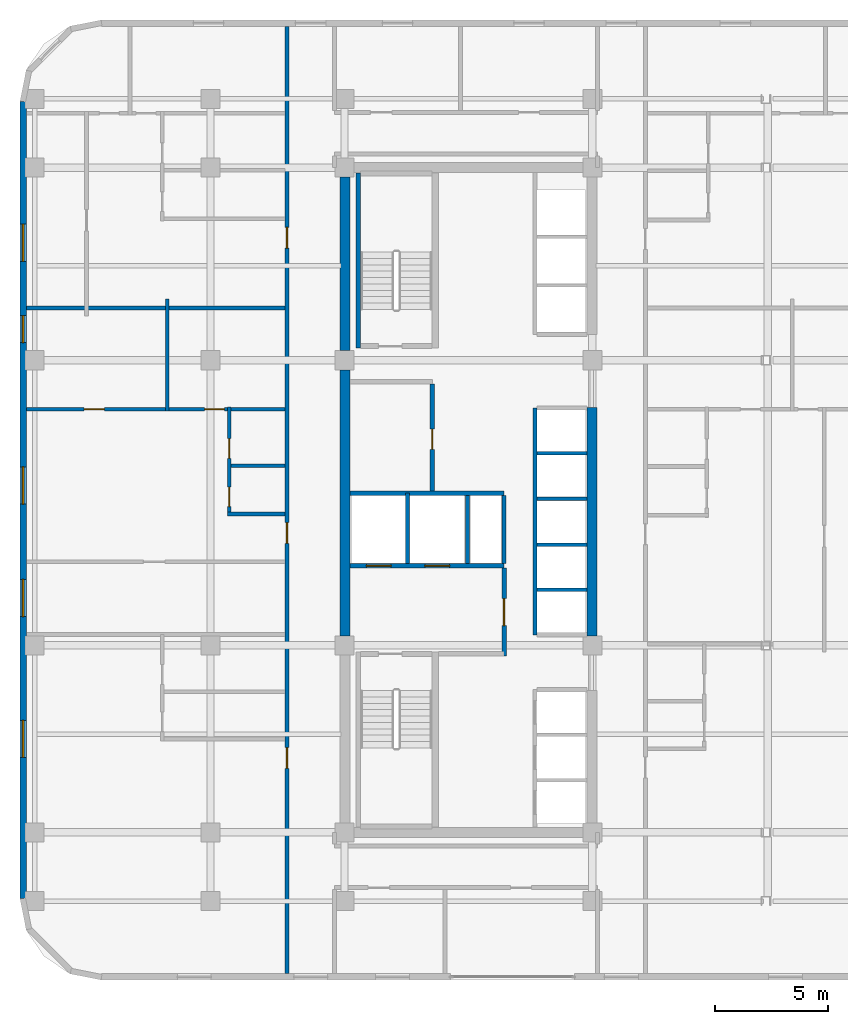
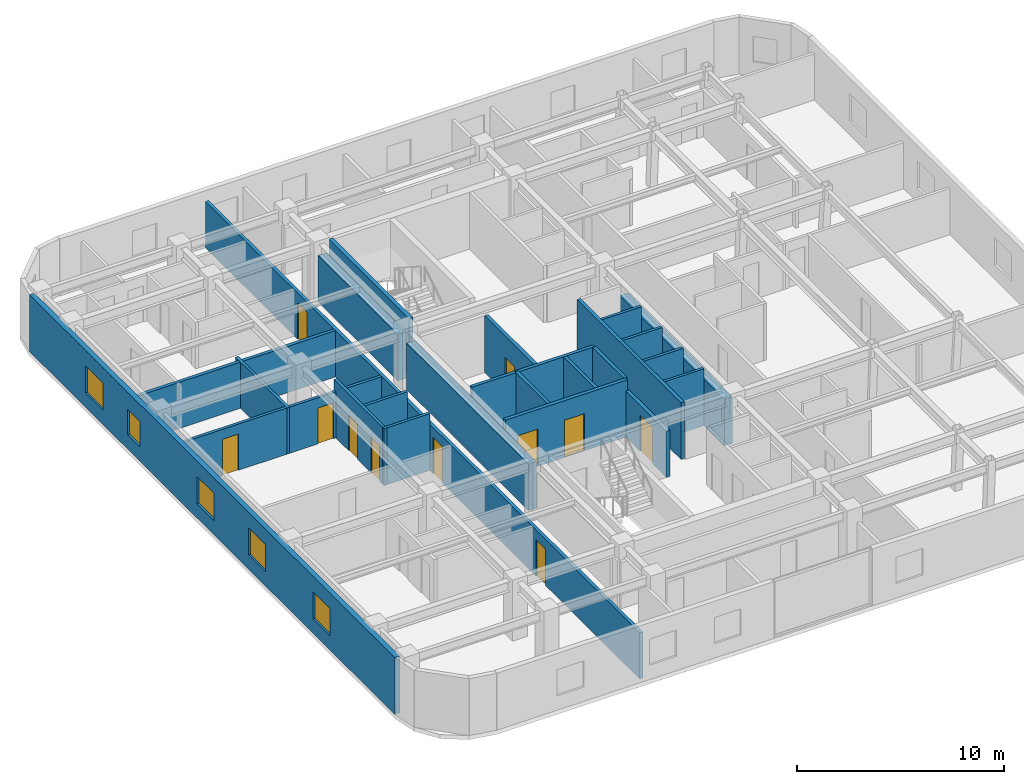
# One storey, part 5 of 9: 24 walls, 11 doors, 5 windows, 16 openings.
"""IFC4 building model written with IfcOpenShell, lengths in metres."""

from ifc_helpers import new_model, si_unit, direction, frame, frame_2d, origin, place, context, subcontext, project, spatial, rectangle, extrude, material, layer, layer_set, type_object, element, fill, save


model = new_model("IFC4")

# Units and contexts
model_context = context("Model", 3, precision=1e-05, world=origin(), true_north=direction((0.0, 1.0)))
body_context = subcontext(model_context, "Body", "Model", "MODEL_VIEW")
ifc_project = project(units=[si_unit("LENGTHUNIT", "METRE"), si_unit("AREAUNIT", "SQUARE_METRE"), si_unit("VOLUMEUNIT", "CUBIC_METRE"), si_unit("PLANEANGLEUNIT", "RADIAN"), si_unit("MASSUNIT", "GRAM", prefix="KILO")], contexts=[model_context])

# Site, building, storey
site_placement = place(None, origin())
site = spatial("IfcSite", under=ifc_project, at=site_placement, CompositionType="ELEMENT")
building_placement = place(site_placement, origin())
building = spatial("IfcBuilding", under=site, at=building_placement, Name="Ochreholt Gables", CompositionType="ELEMENT")
storey_placement = place(building_placement, frame((0.0, 0.0, 84.0)))
storey = spatial("IfcBuildingStorey", under=building, at=storey_placement, Name="L21", CompositionType="ELEMENT", Elevation=84.0)

# Walls
ifc_material_1 = material(Name="Concrete 60 MPa", Category="concrete")
ifc_layer_1 = layer(ifc_material_1, 0.449951171875, Name="Concrete 60 MPa")
ifc_layer_set_1 = layer_set([ifc_layer_1], Name="Concrete 60 MPa")
wall_type_1 = type_object("IfcWallType", Name="WALL-CSW-450", PredefinedType="SHEAR", material=ifc_layer_set_1)
wall_1_placement = place(storey_placement, frame((24.22509765625, 17.97509765625, 0.0), z_axis=(0.0, 0.0, 1.0), x_axis=(0.0, 1.0, 0.0)))
element("IfcWall", 1, at=wall_1_placement, inside=storey, type_object=wall_type_1, Name="L21 Core West Shear Wall WM", PredefinedType="SHEAR", context=body_context, shape_type="SweptSolid", body=[
    extrude(rectangle(XDim=11.7998046875, YDim=0.449951171875, at=frame_2d((5.89990234375, 0.0))), origin(), (0.0, 0.0, 1.0), 2.7490234375),
])
wall_2_placement = place(storey_placement, frame((24.22509765625, 30.625, 0.0), z_axis=(0.0, 0.0, 1.0), x_axis=(0.0, 1.0, 0.0)))
element("IfcWall", 2, at=wall_2_placement, inside=storey, type_object=wall_type_1, Name="L21 Core West Shear Wall WN", PredefinedType="SHEAR", context=body_context, shape_type="SweptSolid", body=[
    extrude(rectangle(XDim=7.699951171875, YDim=0.449951171875, at=frame_2d((3.85009765625, 0.0))), origin(), (0.0, 0.0, 1.0), 2.7490234375),
])
wall_3_placement = place(storey_placement, frame((35.175048828125, 17.97509765625, 0.0), z_axis=(0.0, 0.0, 1.0), x_axis=(0.0, 1.0, 0.0)))
element("IfcWall", 3, at=wall_3_placement, inside=storey, type_object=wall_type_1, Name="L21 Core Central-East Shear Wall", PredefinedType="SHEAR", context=body_context, shape_type="SweptSolid", body=[
    extrude(rectangle(XDim=10.125, YDim=0.449951171875, at=frame_2d((5.0625, 0.0))), origin(), (0.0, 0.0, 1.0), 2.7490234375),
])

# Wall, openings, windows
ifc_material_2 = material(Name="Precast concrete 40 MPa", Category="concrete")
ifc_layer_2 = layer(ifc_material_2, 0.280029296875, Name="Precast concrete 40 MPa")
ifc_layer_set_2 = layer_set([ifc_layer_2], Name="Precast concrete 40 MPa")
wall_type_2 = type_object("IfcWallType", Name="WALL-EXT-280", PredefinedType="SOLIDWALL", material=ifc_layer_set_2)
wall_4_placement = place(storey_placement, frame((9.93994140625, 41.679931640625, 0.0), z_axis=(0.0, 0.0, 1.0), x_axis=(0.0, -1.0, 0.0)))
wall_4 = element("IfcWall", 4, at=wall_4_placement, inside=storey, type_object=wall_type_2, Name="L21 West Exterior Wall", PredefinedType="SOLIDWALL", context=body_context, shape_type="SweptSolid", body=[
    extrude(rectangle(XDim=35.35986328125, YDim=0.280029296875, at=frame_2d((17.679931640625, 0.0))), origin(), (0.0, 0.0, 1.0), 3.360107421875),
])
opening_1_placement = place(wall_4_placement, frame((27.455078125, 0.0, 0.85009765625)))
opening_1 = element("IfcOpeningElement", 5, at=opening_1_placement, cuts=wall_4, Name="Opening WN-7", PredefinedType="OPENING", context=body_context, shape_type="SweptSolid", body=[
    extrude(rectangle(XDim=1.64990234375, YDim=1.60009765625, at=frame_2d((0.824951171875, 0.800048828125))), frame((0.0, 0.14990234375, 0.0), z_axis=(0.0, -1.0, 0.0), x_axis=(1.0, 0.0, 0.0)), (0.0, 0.0, 1.0), 0.300048828125),
])
opening_2_placement = place(wall_4_placement, frame((21.2060546875, 0.0, 0.85009765625)))
opening_2 = element("IfcOpeningElement", 6, at=opening_2_placement, cuts=wall_4, Name="Opening WN-7", PredefinedType="OPENING", context=body_context, shape_type="SweptSolid", body=[
    extrude(rectangle(XDim=1.64990234375, YDim=1.60009765625, at=frame_2d((0.824951171875, 0.800048828125))), frame((0.0, 0.14990234375, 0.0), z_axis=(0.0, -1.0, 0.0), x_axis=(1.0, 0.0, 0.0)), (0.0, 0.0, 1.0), 0.300048828125),
])
opening_3_placement = place(wall_4_placement, frame((16.208984375, 0.0, 0.85009765625)))
opening_3 = element("IfcOpeningElement", 7, at=opening_3_placement, cuts=wall_4, Name="Opening WN-7", PredefinedType="OPENING", context=body_context, shape_type="SweptSolid", body=[
    extrude(rectangle(XDim=1.64990234375, YDim=1.60009765625, at=frame_2d((0.824951171875, 0.800048828125))), frame((0.0, 0.14990234375, 0.0), z_axis=(0.0, -1.0, 0.0), x_axis=(1.0, 0.0, 0.0)), (0.0, 0.0, 1.0), 0.300048828125),
])
opening_4_placement = place(wall_4_placement, frame((9.5, 0.0, 0.85009765625)))
opening_4 = element("IfcOpeningElement", 8, at=opening_4_placement, cuts=wall_4, Name="Opening WN-3", PredefinedType="OPENING", context=body_context, shape_type="SweptSolid", body=[
    extrude(rectangle(XDim=1.199951171875, YDim=1.5, at=frame_2d((0.60009765625, 0.75))), frame((0.0, 0.14990234375, 0.0), z_axis=(0.0, -1.0, 0.0), x_axis=(1.0, 0.0, 0.0)), (0.0, 0.0, 1.0), 0.300048828125),
])
opening_5_placement = place(wall_4_placement, frame((5.43994140625, 0.0, 0.85009765625)))
opening_5 = element("IfcOpeningElement", 9, at=opening_5_placement, cuts=wall_4, Name="Opening WN-7", PredefinedType="OPENING", context=body_context, shape_type="SweptSolid", body=[
    extrude(rectangle(XDim=1.64990234375, YDim=1.60009765625, at=frame_2d((0.824951171875, 0.800048828125))), frame((0.0, 0.14990234375, 0.0), z_axis=(0.0, -1.0, 0.0), x_axis=(1.0, 0.0, 0.0)), (0.0, 0.0, 1.0), 0.300048828125),
])
ifc_material_3 = material(Name="Triple-Glazed Thermally Broken Aluminium Window", Category="aluminium")
window_type_1 = type_object("IfcWindowType", Name="WIN-RES-1200", PartitioningType="SINGLE_PANEL", PredefinedType="WINDOW", material=ifc_material_3)
window_1_placement = place(opening_4_placement, origin())
window_1 = element("IfcWindow", 10, at=window_1_placement, inside=storey, type_object=window_type_1, Name="L21 Window W-EXT-W-L21-4", OverallHeight=1.5, OverallWidth=1.199951171875, PartitioningType="SINGLE_PANEL", PredefinedType="WINDOW", context=body_context, shape_type="SweptSolid", body=[
    extrude(rectangle(XDim=1.199951171875, YDim=1.5, at=frame_2d((0.60009765625, 0.75))), frame((0.0, 0.030029296875, 0.0), z_axis=(0.0, -1.0, 0.0), x_axis=(1.0, 0.0, 0.0)), (0.0, 0.0, 1.0), 0.06005859375),
])
fill(opening_4, window_1)
window_type_2 = type_object("IfcWindowType", Name="WIN-RES-1650", PartitioningType="SINGLE_PANEL", PredefinedType="WINDOW", material=ifc_material_3)
window_2_placement = place(opening_1_placement, origin())
window_2 = element("IfcWindow", 11, at=window_2_placement, inside=storey, type_object=window_type_2, Name="L21 Window W-EXT-W-L21-1", OverallHeight=1.60009765625, OverallWidth=1.64990234375, PartitioningType="SINGLE_PANEL", PredefinedType="WINDOW", context=body_context, shape_type="SweptSolid", body=[
    extrude(rectangle(XDim=1.64990234375, YDim=1.60009765625, at=frame_2d((0.824951171875, 0.800048828125))), frame((0.0, 0.030029296875, 0.0), z_axis=(0.0, -1.0, 0.0), x_axis=(1.0, 0.0, 0.0)), (0.0, 0.0, 1.0), 0.06005859375),
])
fill(opening_1, window_2)
window_3_placement = place(opening_2_placement, origin())
window_3 = element("IfcWindow", 12, at=window_3_placement, inside=storey, type_object=window_type_2, Name="L21 Window W-EXT-W-L21-2", OverallHeight=1.60009765625, OverallWidth=1.64990234375, PartitioningType="SINGLE_PANEL", PredefinedType="WINDOW", context=body_context, shape_type="SweptSolid", body=[
    extrude(rectangle(XDim=1.64990234375, YDim=1.60009765625, at=frame_2d((0.824951171875, 0.800048828125))), frame((0.0, 0.030029296875, 0.0), z_axis=(0.0, -1.0, 0.0), x_axis=(1.0, 0.0, 0.0)), (0.0, 0.0, 1.0), 0.06005859375),
])
fill(opening_2, window_3)
window_4_placement = place(opening_3_placement, origin())
window_4 = element("IfcWindow", 13, at=window_4_placement, inside=storey, type_object=window_type_2, Name="L21 Window W-EXT-W-L21-3", OverallHeight=1.60009765625, OverallWidth=1.64990234375, PartitioningType="SINGLE_PANEL", PredefinedType="WINDOW", context=body_context, shape_type="SweptSolid", body=[
    extrude(rectangle(XDim=1.64990234375, YDim=1.60009765625, at=frame_2d((0.824951171875, 0.800048828125))), frame((0.0, 0.030029296875, 0.0), z_axis=(0.0, -1.0, 0.0), x_axis=(1.0, 0.0, 0.0)), (0.0, 0.0, 1.0), 0.06005859375),
])
fill(opening_3, window_4)
window_5_placement = place(opening_5_placement, origin())
window_5 = element("IfcWindow", 14, at=window_5_placement, inside=storey, type_object=window_type_2, Name="L21 Window W-EXT-W-L21-5", OverallHeight=1.60009765625, OverallWidth=1.64990234375, PartitioningType="SINGLE_PANEL", PredefinedType="WINDOW", context=body_context, shape_type="SweptSolid", body=[
    extrude(rectangle(XDim=1.64990234375, YDim=1.60009765625, at=frame_2d((0.824951171875, 0.800048828125))), frame((0.0, 0.030029296875, 0.0), z_axis=(0.0, -1.0, 0.0), x_axis=(1.0, 0.0, 0.0)), (0.0, 0.0, 1.0), 0.06005859375),
])
fill(opening_5, window_5)

# Wall, openings, doors
ifc_material_4 = material(Name="Concrete 40 MPa", Category="concrete")
ifc_layer_3 = layer(ifc_material_4, 0.199951171875, Name="Concrete 40 MPa")
ifc_layer_set_3 = layer_set([ifc_layer_3], Name="Concrete 40 MPa")
wall_type_3 = type_object("IfcWallType", Name="WALL-INT-CF200", PredefinedType="STANDARD", material=ifc_layer_set_3)
wall_5_placement = place(storey_placement, frame((24.449951171875, 21.090087890625, 0.0), z_axis=(0.0, 0.0, 1.0), x_axis=(1.0, 0.0, 0.0)))
wall_5 = element("IfcWall", 15, at=wall_5_placement, inside=storey, type_object=wall_type_3, Name="L21 Interior Wall WI-FFN-L21", PredefinedType="STANDARD", context=body_context, shape_type="SweptSolid", body=[
    extrude(rectangle(XDim=6.830078125, YDim=0.199951171875, at=frame_2d((3.4150390625, 0.0))), origin(), (0.0, 0.0, 1.0), 3.360107421875),
])
opening_6_placement = place(wall_5_placement, frame((0.719970703125, 0.0, 0.0)))
opening_6 = element("IfcOpeningElement", 16, at=opening_6_placement, cuts=wall_5, Name="Opening LD-FF", PredefinedType="OPENING", context=body_context, shape_type="SweptSolid", body=[
    extrude(rectangle(XDim=1.10009765625, YDim=2.199951171875, at=frame_2d((0.550048828125, 1.10009765625))), frame((0.0, 0.10986328125, 0.0), z_axis=(0.0, -1.0, 0.0), x_axis=(1.0, 0.0, 0.0)), (0.0, 0.0, 1.0), 0.219970703125),
])
opening_7_placement = place(wall_5_placement, frame((3.320068359375, 0.0, 0.0)))
opening_7 = element("IfcOpeningElement", 17, at=opening_7_placement, cuts=wall_5, Name="Opening LD-FF", PredefinedType="OPENING", context=body_context, shape_type="SweptSolid", body=[
    extrude(rectangle(XDim=1.10009765625, YDim=2.199951171875, at=frame_2d((0.550048828125, 1.10009765625))), frame((0.0, 0.10986328125, 0.0), z_axis=(0.0, -1.0, 0.0), x_axis=(1.0, 0.0, 0.0)), (0.0, 0.0, 1.0), 0.219970703125),
])
ifc_material_5 = material(Name="Stainless Steel", Category="steel")
door_type_1 = type_object("IfcDoorType", Name="DR-LFT-FF1100", OperationType="NOTDEFINED", PredefinedType="DOOR", material=ifc_material_5)
door_1_placement = place(opening_6_placement, origin())
door_1 = element("IfcDoor", 18, at=door_1_placement, inside=storey, type_object=door_type_1, Name="L21 Door LD-FF1-L21", OperationType="SLIDING_TO_LEFT", OverallHeight=2.199951171875, OverallWidth=1.10009765625, PredefinedType="DOOR", context=body_context, shape_type="SweptSolid", body=[
    extrude(rectangle(XDim=1.10009765625, YDim=2.199951171875, at=frame_2d((0.550048828125, 1.10009765625))), frame((0.0, 0.02490234375, 0.0), z_axis=(0.0, -1.0, 0.0), x_axis=(1.0, 0.0, 0.0)), (0.0, 0.0, 1.0), 0.050048828125),
])
fill(opening_6, door_1)
door_2_placement = place(opening_7_placement, origin())
door_2 = element("IfcDoor", 19, at=door_2_placement, inside=storey, type_object=door_type_1, Name="L21 Door LD-FF2-L21", OperationType="SLIDING_TO_LEFT", OverallHeight=2.199951171875, OverallWidth=1.10009765625, PredefinedType="DOOR", context=body_context, shape_type="SweptSolid", body=[
    extrude(rectangle(XDim=1.10009765625, YDim=2.199951171875, at=frame_2d((0.550048828125, 1.10009765625))), frame((0.0, 0.02490234375, 0.0), z_axis=(0.0, -1.0, 0.0), x_axis=(1.0, 0.0, 0.0)), (0.0, 0.0, 1.0), 0.050048828125),
])
fill(opening_7, door_2)

# Wall, opening, door
wall_6_placement = place(storey_placement, frame((31.280029296875, 17.070068359375, 0.0), z_axis=(0.0, 0.0, 1.0), x_axis=(0.0, 1.0, 0.0)))
wall_6 = element("IfcWall", 20, at=wall_6_placement, inside=storey, type_object=wall_type_3, Name="L21 Interior Wall WI-FFE-L21", PredefinedType="STANDARD", context=body_context, shape_type="SweptSolid", body=[
    extrude(rectangle(XDim=3.919921875, YDim=0.199951171875, at=frame_2d((1.9599609375, 0.0))), origin(), (0.0, 0.0, 1.0), 2.73095703125),
])
opening_8_placement = place(wall_6_placement, frame((1.35009765625, 0.0, 0.0)))
opening_8 = element("IfcOpeningElement", 21, at=opening_8_placement, cuts=wall_6, Name="Opening D-FFL", PredefinedType="OPENING", context=body_context, shape_type="SweptSolid", body=[
    extrude(rectangle(XDim=1.199951171875, YDim=2.14990234375, at=frame_2d((0.60009765625, 1.074951171875))), frame((0.0, 0.10986328125, 0.0), z_axis=(0.0, -1.0, 0.0), x_axis=(1.0, 0.0, 0.0)), (0.0, 0.0, 1.0), 0.219970703125),
])
ifc_material_6 = material(Name="Hollow Metal Steel", Category="steel")
door_type_2 = type_object("IfcDoorType", Name="DR-INT-FFL1200", OperationType="NOTDEFINED", PredefinedType="DOOR", material=ifc_material_6)
door_3_placement = place(opening_8_placement, origin())
door_3 = element("IfcDoor", 22, at=door_3_placement, inside=storey, type_object=door_type_2, Name="L21 Door D-FFL-L21", OperationType="SINGLE_SWING_LEFT", OverallHeight=2.14990234375, OverallWidth=1.199951171875, PredefinedType="DOOR", context=body_context, shape_type="SweptSolid", body=[
    extrude(rectangle(XDim=1.199951171875, YDim=2.14990234375, at=frame_2d((0.60009765625, 1.074951171875))), frame((0.0, 0.02490234375, 0.0), z_axis=(0.0, -1.0, 0.0), x_axis=(1.0, 0.0, 0.0)), (0.0, 0.0, 1.0), 0.050048828125),
])
fill(opening_8, door_3)

wall_7_placement = place(storey_placement, frame((28.10009765625, 24.389892578125, 0.0), z_axis=(0.0, 0.0, 1.0), x_axis=(0.0, 1.0, 0.0)))
wall_7 = element("IfcWall", 23, at=wall_7_placement, inside=storey, type_object=wall_type_3, Name="L21 Interior Wall WI-SRVE-L21", PredefinedType="STANDARD", context=body_context, shape_type="SweptSolid", body=[
    extrude(rectangle(XDim=4.75, YDim=0.199951171875, at=frame_2d((2.375, 0.0))), origin(), (0.0, 0.0, 1.0), 3.360107421875),
])
opening_9_placement = place(wall_7_placement, frame((1.860107421875, 0.0, 0.0)))
opening_9 = element("IfcOpeningElement", 24, at=opening_9_placement, cuts=wall_7, Name="Opening D-SV1", PredefinedType="OPENING", context=body_context, shape_type="SweptSolid", body=[
    extrude(rectangle(XDim=0.89990234375, YDim=2.10009765625, at=frame_2d((0.449951171875, 1.050048828125))), frame((0.0, 0.10986328125, 0.0), z_axis=(0.0, -1.0, 0.0), x_axis=(1.0, 0.0, 0.0)), (0.0, 0.0, 1.0), 0.219970703125),
])
door_type_3 = type_object("IfcDoorType", Name="DR-INT-SRV900", OperationType="NOTDEFINED", PredefinedType="DOOR", material=ifc_material_6)
door_4_placement = place(opening_9_placement, origin())
door_4 = element("IfcDoor", 25, at=door_4_placement, inside=storey, type_object=door_type_3, Name="L21 Door D-SRV1-L21", OperationType="SINGLE_SWING_LEFT", OverallHeight=2.10009765625, OverallWidth=0.89990234375, PredefinedType="DOOR", context=body_context, shape_type="SweptSolid", body=[
    extrude(rectangle(XDim=0.89990234375, YDim=2.10009765625, at=frame_2d((0.449951171875, 1.050048828125))), frame((0.0, 0.02490234375, 0.0), z_axis=(0.0, -1.0, 0.0), x_axis=(1.0, 0.0, 0.0)), (0.0, 0.0, 1.0), 0.050048828125),
])
fill(opening_9, door_4)

# Wall, openings, doors
ifc_material_7 = material(Name="Fire-Rated Gypsum Acoustic Partition", Category="gypsum")
ifc_layer_4 = layer(ifc_material_7, 0.179931640625, Name="Fire-Rated Gypsum Acoustic Partition")
ifc_layer_set_4 = layer_set([ifc_layer_4], Name="Fire-Rated Gypsum Acoustic Partition")
wall_type_4 = type_object("IfcWallType", Name="WALL-INT-CR180", PredefinedType="STANDARD", material=ifc_layer_set_4)
wall_8_placement = place(storey_placement, frame((21.64990234375, 2.97998046875, 0.0), z_axis=(0.0, 0.0, 1.0), x_axis=(0.0, 1.0, 0.0)))
wall_8 = element("IfcWall", 26, at=wall_8_placement, inside=storey, type_object=wall_type_4, Name="L21 Interior Wall WI-C1W-L21", PredefinedType="STANDARD", context=body_context, shape_type="SweptSolid", body=[
    extrude(rectangle(XDim=42.0400390625, YDim=0.179931640625, at=frame_2d((21.02001953125, 0.0))), origin(), (0.0, 0.0, 1.0), 2.73095703125),
])
opening_10_placement = place(wall_8_placement, frame((9.115966796875, 0.0, 0.0)))
opening_10 = element("IfcOpeningElement", 27, at=opening_10_placement, cuts=wall_8, Name="Opening D-UN1", PredefinedType="OPENING", context=body_context, shape_type="SweptSolid", body=[
    extrude(rectangle(XDim=0.919921875, YDim=2.14990234375, at=frame_2d((0.4599609375, 1.074951171875))), frame((0.0, 0.099853515625, 0.0), z_axis=(0.0, -1.0, 0.0), x_axis=(1.0, 0.0, 0.0)), (0.0, 0.0, 1.0), 0.199951171875),
])
opening_11_placement = place(wall_8_placement, frame((19.10009765625, 0.0, 0.0)))
opening_11 = element("IfcOpeningElement", 28, at=opening_11_placement, cuts=wall_8, Name="Opening D-UN1", PredefinedType="OPENING", context=body_context, shape_type="SweptSolid", body=[
    extrude(rectangle(XDim=0.919921875, YDim=2.14990234375, at=frame_2d((0.4599609375, 1.074951171875))), frame((0.0, 0.099853515625, 0.0), z_axis=(0.0, -1.0, 0.0), x_axis=(1.0, 0.0, 0.0)), (0.0, 0.0, 1.0), 0.199951171875),
])
opening_12_placement = place(wall_8_placement, frame((32.201416015625, 0.0, 0.0)))
opening_12 = element("IfcOpeningElement", 29, at=opening_12_placement, cuts=wall_8, Name="Opening D-UN1", PredefinedType="OPENING", context=body_context, shape_type="SweptSolid", body=[
    extrude(rectangle(XDim=0.919921875, YDim=2.14990234375, at=frame_2d((0.4599609375, 1.074951171875))), frame((0.0, 0.099853515625, 0.0), z_axis=(0.0, -1.0, 0.0), x_axis=(1.0, 0.0, 0.0)), (0.0, 0.0, 1.0), 0.199951171875),
])
ifc_material_8 = material(Name="Engineered Oak Timber", Category="wood")
door_type_4 = type_object("IfcDoorType", Name="DR-INT-UNT920", OperationType="NOTDEFINED", PredefinedType="DOOR", material=ifc_material_8)
door_5_placement = place(opening_10_placement, origin())
door_5 = element("IfcDoor", 30, at=door_5_placement, inside=storey, type_object=door_type_4, Name="L21 Door D-U-L21W1-ENT", OperationType="SINGLE_SWING_LEFT", OverallHeight=2.14990234375, OverallWidth=0.919921875, PredefinedType="DOOR", context=body_context, shape_type="SweptSolid", body=[
    extrude(rectangle(XDim=0.919921875, YDim=2.14990234375, at=frame_2d((0.4599609375, 1.074951171875))), frame((0.0, 0.02490234375, 0.0), z_axis=(0.0, -1.0, 0.0), x_axis=(1.0, 0.0, 0.0)), (0.0, 0.0, 1.0), 0.050048828125),
])
fill(opening_10, door_5)
door_6_placement = place(opening_11_placement, origin())
door_6 = element("IfcDoor", 31, at=door_6_placement, inside=storey, type_object=door_type_4, Name="L21 Door D-U-L21W2-ENT", OperationType="SINGLE_SWING_RIGHT", OverallHeight=2.14990234375, OverallWidth=0.919921875, PredefinedType="DOOR", context=body_context, shape_type="SweptSolid", body=[
    extrude(rectangle(XDim=0.919921875, YDim=2.14990234375, at=frame_2d((0.4599609375, 1.074951171875))), frame((0.0, 0.02490234375, 0.0), z_axis=(0.0, -1.0, 0.0), x_axis=(1.0, 0.0, 0.0)), (0.0, 0.0, 1.0), 0.050048828125),
])
fill(opening_11, door_6)
door_7_placement = place(opening_12_placement, origin())
door_7 = element("IfcDoor", 32, at=door_7_placement, inside=storey, type_object=door_type_4, Name="L21 Door D-U-L21W3-ENT", OperationType="SINGLE_SWING_LEFT", OverallHeight=2.14990234375, OverallWidth=0.919921875, PredefinedType="DOOR", context=body_context, shape_type="SweptSolid", body=[
    extrude(rectangle(XDim=0.919921875, YDim=2.14990234375, at=frame_2d((0.4599609375, 1.074951171875))), frame((0.0, 0.02490234375, 0.0), z_axis=(0.0, -1.0, 0.0), x_axis=(1.0, 0.0, 0.0)), (0.0, 0.0, 1.0), 0.050048828125),
])
fill(opening_12, door_7)

# Walls
ifc_material_9 = material(Name="Double-Stud Acoustic Demising Wall", Category="gypsum")
ifc_layer_5 = layer(ifc_material_9, 0.179931640625, Name="Double-Stud Acoustic Demising Wall")
ifc_layer_set_5 = layer_set([ifc_layer_5], Name="Double-Stud Acoustic Demising Wall")
wall_type_5 = type_object("IfcWallType", Name="WALL-INT-DM180", PredefinedType="PARTITIONING", material=ifc_layer_set_5)
wall_9_placement = place(storey_placement, frame((10.080078125, 32.52001953125, 0.0), z_axis=(0.0, 0.0, 1.0), x_axis=(1.0, 0.0, 0.0)))
element("IfcWall", 33, at=wall_9_placement, inside=storey, type_object=wall_type_5, Name="L21 Interior Wall WI-UDW3-L21", PredefinedType="PARTITIONING", context=body_context, shape_type="SweptSolid", body=[
    extrude(rectangle(XDim=11.47998046875, YDim=0.179931640625, at=frame_2d((5.739990234375, 0.0))), origin(), (0.0, 0.0, 1.0), 2.73095703125),
])
ifc_material_10 = material(Name="Moisture-Resistant Plumbing Chase Wall", Category="gypsum")
ifc_layer_6 = layer(ifc_material_10, 0.159912109375, Name="Moisture-Resistant Plumbing Chase Wall")
ifc_layer_set_6 = layer_set([ifc_layer_6], Name="Moisture-Resistant Plumbing Chase Wall")
wall_type_6 = type_object("IfcWallType", Name="WALL-INT-PL160", PredefinedType="PLUMBINGWALL", material=ifc_layer_set_6)
wall_10_placement = place(storey_placement, frame((19.0, 23.3798828125, 0.0), z_axis=(0.0, 0.0, 1.0), x_axis=(1.0, 0.0, 0.0)))
element("IfcWall", 34, at=wall_10_placement, inside=storey, type_object=wall_type_6, Name="L21 Interior Wall WU-L21W2-FYS", PredefinedType="PLUMBINGWALL", context=body_context, shape_type="SweptSolid", body=[
    extrude(rectangle(XDim=2.56005859375, YDim=0.159912109375, at=frame_2d((1.280029296875, 0.0))), origin(), (0.0, 0.0, 1.0), 3.360107421875),
])

# Wall, openings, doors
wall_11_placement = place(storey_placement, frame((19.080078125, 23.2900390625, 0.0), z_axis=(0.0, 0.0, 1.0), x_axis=(0.0, 1.0, 0.0)))
wall_11 = element("IfcWall", 35, at=wall_11_placement, inside=storey, type_object=wall_type_6, Name="L21 Interior Wall WU-L21W2-WX", PredefinedType="PLUMBINGWALL", context=body_context, shape_type="SweptSolid", body=[
    extrude(rectangle(XDim=4.830078125, YDim=0.159912109375, at=frame_2d((2.4150390625, 0.0))), origin(), (0.0, 0.0, 1.0), 3.360107421875),
])
opening_13_placement = place(wall_11_placement, frame((0.419921875, 0.0, 0.0)))
opening_13 = element("IfcOpeningElement", 36, at=opening_13_placement, cuts=wall_11, Name="Opening D-BT1", PredefinedType="OPENING", context=body_context, shape_type="SweptSolid", body=[
    extrude(rectangle(XDim=0.860107421875, YDim=2.1201171875, at=frame_2d((0.43017578125, 1.06005859375))), frame((0.0, 0.08984375, 0.0), z_axis=(0.0, -1.0, 0.0), x_axis=(1.0, 0.0, 0.0)), (0.0, 0.0, 1.0), 0.179931640625),
])
opening_14_placement = place(wall_11_placement, frame((2.55908203125, 0.0, 0.0)))
opening_14 = element("IfcOpeningElement", 37, at=opening_14_placement, cuts=wall_11, Name="Opening D-GN2", PredefinedType="OPENING", context=body_context, shape_type="SweptSolid", body=[
    extrude(rectangle(XDim=0.8798828125, YDim=2.1201171875, at=frame_2d((0.43994140625, 1.06005859375))), frame((0.0, 0.08984375, 0.0), z_axis=(0.0, -1.0, 0.0), x_axis=(1.0, 0.0, 0.0)), (0.0, 0.0, 1.0), 0.179931640625),
])
door_type_5 = type_object("IfcDoorType", Name="DR-INT-BTH860", OperationType="NOTDEFINED", PredefinedType="DOOR", material=ifc_material_8)
door_8_placement = place(opening_13_placement, origin())
door_8 = element("IfcDoor", 38, at=door_8_placement, inside=storey, type_object=door_type_5, Name="L21 Door D-U-L21W2-BTH", OperationType="SINGLE_SWING_LEFT", OverallHeight=2.1201171875, OverallWidth=0.860107421875, PredefinedType="DOOR", context=body_context, shape_type="SweptSolid", body=[
    extrude(rectangle(XDim=0.860107421875, YDim=2.1201171875, at=frame_2d((0.43017578125, 1.06005859375))), frame((0.0, 0.02490234375, 0.0), z_axis=(0.0, -1.0, 0.0), x_axis=(1.0, 0.0, 0.0)), (0.0, 0.0, 1.0), 0.050048828125),
])
fill(opening_13, door_8)
door_type_6 = type_object("IfcDoorType", Name="DR-INT-GEN880", OperationType="NOTDEFINED", PredefinedType="DOOR", material=ifc_material_8)
door_9_placement = place(opening_14_placement, origin())
door_9 = element("IfcDoor", 39, at=door_9_placement, inside=storey, type_object=door_type_6, Name="L21 Door D-U-L21W2-KIT", OperationType="SINGLE_SWING_RIGHT", OverallHeight=2.1201171875, OverallWidth=0.8798828125, PredefinedType="DOOR", context=body_context, shape_type="SweptSolid", body=[
    extrude(rectangle(XDim=0.8798828125, YDim=2.1201171875, at=frame_2d((0.43994140625, 1.06005859375))), frame((0.0, 0.02490234375, 0.0), z_axis=(0.0, -1.0, 0.0), x_axis=(1.0, 0.0, 0.0)), (0.0, 0.0, 1.0), 0.050048828125),
])
fill(opening_14, door_9)

# Wall
wall_12_placement = place(storey_placement, frame((19.159912109375, 25.51904296875, 0.0), z_axis=(0.0, 0.0, 1.0), x_axis=(1.0, 0.0, 0.0)))
element("IfcWall", 40, at=wall_12_placement, inside=storey, type_object=wall_type_6, Name="L21 Interior Wall WU-L21W2-WK", PredefinedType="PLUMBINGWALL", context=body_context, shape_type="SweptSolid", body=[
    extrude(rectangle(XDim=2.400146484375, YDim=0.159912109375, at=frame_2d((1.2001953125, 0.0))), origin(), (0.0, 0.0, 1.0), 3.360107421875),
])

# Wall, openings, doors
ifc_material_11 = material(Name="Gypsum Acoustic Stud Partition", Category="gypsum")
ifc_layer_7 = layer(ifc_material_11, 0.159912109375, Name="Gypsum Acoustic Stud Partition")
ifc_layer_set_7 = layer_set([ifc_layer_7], Name="Gypsum Acoustic Stud Partition")
wall_type_7 = type_object("IfcWallType", Name="WALL-INT-PT160", PredefinedType="PARTITIONING", material=ifc_layer_set_7)
wall_13_placement = place(storey_placement, frame((10.080078125, 28.030029296875, 0.0), z_axis=(0.0, 0.0, 1.0), x_axis=(1.0, 0.0, 0.0)))
wall_13 = element("IfcWall", 41, at=wall_13_placement, inside=storey, type_object=wall_type_7, Name="L21 Interior Wall WU-L21W2-MN", PredefinedType="PARTITIONING", context=body_context, shape_type="SweptSolid", body=[
    extrude(rectangle(XDim=11.47998046875, YDim=0.159912109375, at=frame_2d((5.739990234375, 0.0))), origin(), (0.0, 0.0, 1.0), 2.73095703125),
])
opening_15_placement = place(wall_13_placement, frame((7.91259765625, 0.0, 0.0)))
opening_15 = element("IfcOpeningElement", 42, at=opening_15_placement, cuts=wall_13, Name="Opening D-GN2", PredefinedType="OPENING", context=body_context, shape_type="SweptSolid", body=[
    extrude(rectangle(XDim=0.8798828125, YDim=2.1201171875, at=frame_2d((0.43994140625, 1.06005859375))), frame((0.0, 0.08984375, 0.0), z_axis=(0.0, -1.0, 0.0), x_axis=(1.0, 0.0, 0.0)), (0.0, 0.0, 1.0), 0.179931640625),
])
opening_16_placement = place(wall_13_placement, frame((2.56787109375, 0.0, 0.0)))
opening_16 = element("IfcOpeningElement", 43, at=opening_16_placement, cuts=wall_13, Name="Opening D-BD1", PredefinedType="OPENING", context=body_context, shape_type="SweptSolid", body=[
    extrude(rectangle(XDim=0.89990234375, YDim=2.139892578125, at=frame_2d((0.449951171875, 1.06982421875))), frame((0.0, 0.08984375, 0.0), z_axis=(0.0, -1.0, 0.0), x_axis=(1.0, 0.0, 0.0)), (0.0, 0.0, 1.0), 0.179931640625),
])
door_type_7 = type_object("IfcDoorType", Name="DR-INT-BED900", OperationType="NOTDEFINED", PredefinedType="DOOR", material=ifc_material_8)
door_10_placement = place(opening_16_placement, origin())
door_10 = element("IfcDoor", 44, at=door_10_placement, inside=storey, type_object=door_type_7, Name="L21 Door D-U-L21W2-BD1", OperationType="SINGLE_SWING_LEFT", OverallHeight=2.139892578125, OverallWidth=0.89990234375, PredefinedType="DOOR", context=body_context, shape_type="SweptSolid", body=[
    extrude(rectangle(XDim=0.89990234375, YDim=2.139892578125, at=frame_2d((0.449951171875, 1.06982421875))), frame((0.0, 0.02490234375, 0.0), z_axis=(0.0, -1.0, 0.0), x_axis=(1.0, 0.0, 0.0)), (0.0, 0.0, 1.0), 0.050048828125),
])
fill(opening_16, door_10)
door_11_placement = place(opening_15_placement, origin())
door_11 = element("IfcDoor", 45, at=door_11_placement, inside=storey, type_object=door_type_6, Name="L21 Door D-U-L21W2-STD", OperationType="SINGLE_SWING_RIGHT", OverallHeight=2.1201171875, OverallWidth=0.8798828125, PredefinedType="DOOR", context=body_context, shape_type="SweptSolid", body=[
    extrude(rectangle(XDim=0.8798828125, YDim=2.1201171875, at=frame_2d((0.43994140625, 1.06005859375))), frame((0.0, 0.02490234375, 0.0), z_axis=(0.0, -1.0, 0.0), x_axis=(1.0, 0.0, 0.0)), (0.0, 0.0, 1.0), 0.050048828125),
])
fill(opening_15, door_11)

# Walls
wall_14_placement = place(storey_placement, frame((16.33544921875, 27.949951171875, 0.0), z_axis=(0.0, 0.0, 1.0), x_axis=(0.0, 1.0, 0.0)))
element("IfcWall", 46, at=wall_14_placement, inside=storey, type_object=wall_type_7, Name="L21 Interior Wall WU-L21W2-BSD", PredefinedType="PARTITIONING", context=body_context, shape_type="SweptSolid", body=[
    extrude(rectangle(XDim=4.9599609375, YDim=0.159912109375, at=frame_2d((2.47998046875, 0.0))), origin(), (0.0, 0.0, 1.0), 2.73095703125),
])
ifc_material_12 = material(Name="Gypsum Shaftliner and Steel Stud", Category="steel")
ifc_layer_8 = layer(ifc_material_12, 0.14990234375, Name="Gypsum Shaftliner and Steel Stud")
ifc_layer_set_8 = layer_set([ifc_layer_8], Name="Gypsum Shaftliner and Steel Stud")
wall_type_8 = type_object("IfcWallType", Name="WALL-INT-SH150", PredefinedType="STANDARD", material=ifc_layer_set_8)
for number, where, z_axis, x_axis, name in (
    (47, (32.739990234375, 20.02001953125, 0.0), (0.0, 0.0, 1.0), (1.0, 0.0, 0.0), "L21 Interior Wall WI-LFHE-DH1-L21"),
    (48, (32.739990234375, 22.02001953125, 0.0), (0.0, 0.0, 1.0), (1.0, 0.0, 0.0), "L21 Interior Wall WI-LFHE-DH2-L21"),
    (49, (32.739990234375, 24.050048828125, 0.0), (0.0, 0.0, 1.0), (1.0, 0.0, 0.0), "L21 Interior Wall WI-LFHE-DHE-L21"),
    (50, (32.739990234375, 26.070068359375, 0.0), (0.0, 0.0, 1.0), (1.0, 0.0, 0.0), "L21 Interior Wall WI-LFHE-DEX1-L21"),
):
    element("IfcWall", number, at=place(storey_placement, frame(where, z_axis=z_axis, x_axis=x_axis)), inside=storey, type_object=wall_type_8, Name=name, PredefinedType="STANDARD", context=body_context, shape_type="SweptSolid", body=[
        extrude(rectangle(XDim=2.2099609375, YDim=0.14990234375, at=frame_2d((1.10498046875, 0.0))), origin(), (0.0, 0.0, 1.0), 3.360107421875),
    ])
ifc_layer_9 = layer(ifc_material_12, 0.179931640625, Name="Gypsum Shaftliner and Steel Stud")
ifc_layer_set_9 = layer_set([ifc_layer_9], Name="Gypsum Shaftliner and Steel Stud")
wall_type_9 = type_object("IfcWallType", Name="WALL-INT-SH180", PredefinedType="STANDARD", material=ifc_layer_set_9)
wall_15_placement = place(storey_placement, frame((27.0, 21.18994140625, 0.0), z_axis=(0.0, 0.0, 1.0), x_axis=(0.0, 1.0, 0.0)))
element("IfcWall", 51, at=wall_15_placement, inside=storey, type_object=wall_type_9, Name="L21 Interior Wall WI-FFDIV-L21", PredefinedType="STANDARD", context=body_context, shape_type="SweptSolid", body=[
    extrude(rectangle(XDim=3.110107421875, YDim=0.179931640625, at=frame_2d((1.55517578125, 0.0))), origin(), (0.0, 0.0, 1.0), 3.360107421875),
])
wall_16_placement = place(storey_placement, frame((24.449951171875, 24.300048828125, 0.0), z_axis=(0.0, 0.0, 1.0), x_axis=(1.0, 0.0, 0.0)))
element("IfcWall", 52, at=wall_16_placement, inside=storey, type_object=wall_type_9, Name="L21 Interior Wall WI-FFBK-L21", PredefinedType="STANDARD", context=body_context, shape_type="SweptSolid", body=[
    extrude(rectangle(XDim=6.830078125, YDim=0.179931640625, at=frame_2d((3.4150390625, 0.0))), origin(), (0.0, 0.0, 1.0), 3.360107421875),
])
for number, where, z_axis, x_axis, name in (
    (53, (29.64990234375, 21.18994140625, 0.0), (0.0, 0.0, 1.0), (0.0, 1.0, 0.0), "L21 Interior Wall WI-FFSH-L21"),
    (54, (31.280029296875, 21.18994140625, 0.0), (0.0, 0.0, 1.0), (0.0, 1.0, 0.0), "L21 Interior Wall WI-RSE-L21"),
):
    element("IfcWall", number, at=place(storey_placement, frame(where, z_axis=z_axis, x_axis=x_axis)), inside=storey, type_object=wall_type_9, Name=name, PredefinedType="STANDARD", context=body_context, shape_type="SweptSolid", body=[
        extrude(rectangle(XDim=3.02001953125, YDim=0.179931640625, at=frame_2d((1.510009765625, 0.0))), origin(), (0.0, 0.0, 1.0), 3.360107421875),
    ])
wall_17_placement = place(storey_placement, frame((32.64990234375, 18.02001953125, 0.0), z_axis=(0.0, 0.0, 1.0), x_axis=(0.0, 1.0, 0.0)))
element("IfcWall", 55, at=wall_17_placement, inside=storey, type_object=wall_type_9, Name="L21 Interior Wall WI-LFHE-FR-L21", PredefinedType="STANDARD", context=body_context, shape_type="SweptSolid", body=[
    extrude(rectangle(XDim=10.06005859375, YDim=0.179931640625, at=frame_2d((5.030029296875, 0.0))), origin(), (0.0, 0.0, 1.0), 3.360107421875),
])
ifc_material_13 = material(Name="Concrete 50 MPa", Category="concrete")
ifc_layer_10 = layer(ifc_material_13, 0.219970703125, Name="Concrete 50 MPa")
ifc_layer_set_10 = layer_set([ifc_layer_10], Name="Concrete 50 MPa")
wall_type_10 = type_object("IfcWallType", Name="WALL-STW-220", PredefinedType="SHEAR", material=ifc_layer_set_10)
wall_18_placement = place(storey_placement, frame((24.81005859375, 30.739990234375, 0.0), z_axis=(0.0, 0.0, 1.0), x_axis=(0.0, 1.0, 0.0)))
element("IfcWall", 56, at=wall_18_placement, inside=storey, type_object=wall_type_10, Name="L21 Exit Stair 2 West Wall", PredefinedType="SHEAR", context=body_context, shape_type="SweptSolid", body=[
    extrude(rectangle(XDim=7.760009765625, YDim=0.219970703125, at=frame_2d((3.8798828125, 0.0))), origin(), (0.0, 0.0, 1.0), 3.360107421875),
])

save(model, "model.ifc")
